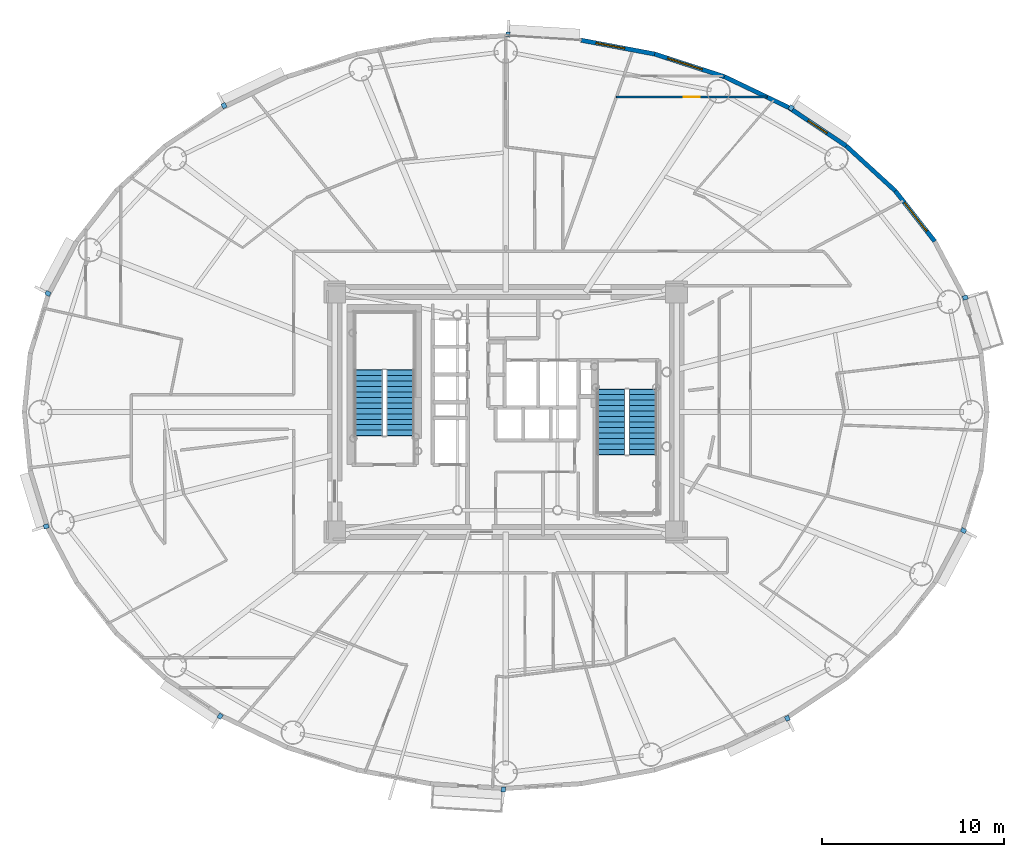
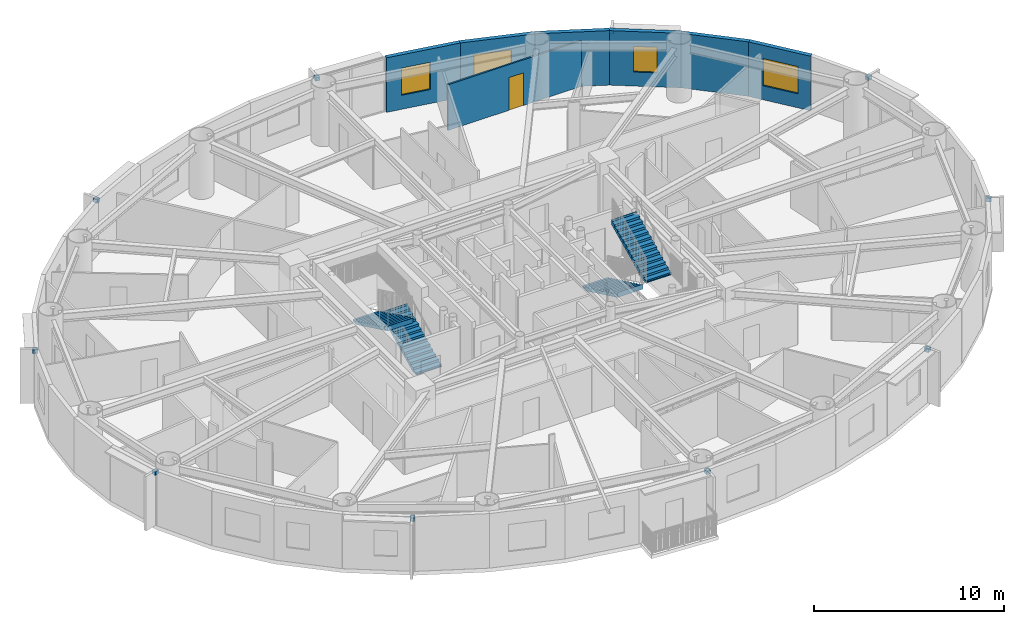
# One storey, part 11 of 18: 10 discrete accessories, 7 walls, 4 stair flights, 4 windows, 1 door, 5 openings, 2 elements without a shape of their own.
"""IFC4 building model written with IfcOpenShell, lengths in metres."""

from ifc_helpers import new_model, si_unit, direction, frame, frame_2d, origin, origin_2d, place, context, subcontext, project, spatial, polyline, rectangle, outline, extrude, source, transform, mapped, material, layer, layer_set, type_object, element, fill, aggregate, save


model = new_model("IFC4")

# Units and contexts
model_context = context("Model", 3, precision=1e-05, world=origin(), true_north=direction((0.0, 1.0)))
body_context = subcontext(model_context, "Body", "Model", "MODEL_VIEW")
ifc_project = project(units=[si_unit("LENGTHUNIT", "METRE"), si_unit("AREAUNIT", "SQUARE_METRE"), si_unit("VOLUMEUNIT", "CUBIC_METRE"), si_unit("PLANEANGLEUNIT", "RADIAN"), si_unit("MASSUNIT", "GRAM", prefix="KILO")], contexts=[model_context])

# Site, building, storey
site_placement = place(None, origin())
site = spatial("IfcSite", under=ifc_project, at=site_placement, CompositionType="ELEMENT")
building_placement = place(site_placement, origin())
building = spatial("IfcBuilding", under=site, at=building_placement, Name="Linh Dai School and Residence Tower", CompositionType="ELEMENT")
storey_placement = place(building_placement, frame((0.0, 0.0, 178.64990234375)))
storey = spatial("IfcBuildingStorey", under=building, at=storey_placement, Name="L43", CompositionType="ELEMENT", Elevation=178.64990234375)

# Wall, opening, window
ifc_material_1 = material(Name="Precast Concrete B45 (C35/45)", Category="concrete")
ifc_layer_1 = layer(ifc_material_1, 0.239990234375)
ifc_layer_set_1 = layer_set([ifc_layer_1], Name="Precast Concrete B45 (C35/45)")
wall_type_1 = type_object("IfcWallType", Name="EW-TC-240", PredefinedType="SOLIDWALL", material=ifc_layer_set_1)
wall_1_placement = place(storey_placement, frame((57.42822265625, 39.158447265625, 0.0), z_axis=(0.0, 0.0, 1.0), x_axis=(0.616287674549, -0.787521112224, 0.0)))
wall_1 = element("IfcWall", 1, at=wall_1_placement, inside=storey, type_object=wall_type_1, Name="L43 Terracotta Exterior Wall 04", PredefinedType="SOLIDWALL", context=body_context, shape_type="SweptSolid", body=[
    extrude(rectangle(XDim=3.517333984375, YDim=0.239990234375, at=frame_2d((1.7587890625, 0.0))), origin(), (0.0, 0.0, 1.0), 3.5),
])
opening_1_placement = place(wall_1_placement, frame((0.818603515625, 0.0, 0.89990234375)))
opening_1 = element("IfcOpeningElement", 2, at=opening_1_placement, cuts=wall_1, Name="Opening W1", PredefinedType="OPENING", context=body_context, shape_type="SweptSolid", body=[
    extrude(rectangle(XDim=2.0, YDim=1.75, at=origin_2d()), frame((1.0, 0.1298828125, 0.875), z_axis=(0.0, -1.0, 0.0), x_axis=(1.0, 0.0, 0.0)), (0.0, 0.0, 1.0), 0.260009765625),
])
ifc_material_2 = material(Name="Double Low-E Insulated Glazing", Category="glass")
window_type_1 = type_object("IfcWindowType", Name="WN-RES-2000x1750", PartitioningType="DOUBLE_PANEL_VERTICAL", PredefinedType="WINDOW", material=ifc_material_2)
shared_shape_1 = source(origin(), body_context, "Body", "SweptSolid", [
    extrude(rectangle(XDim=2.0, YDim=1.75, at=origin_2d()), frame((1.0, 0.030029296875, 0.875), z_axis=(0.0, -1.0, 0.0), x_axis=(1.0, 0.0, 0.0)), (0.0, 0.0, 1.0), 0.06005859375),
])
window_1_placement = place(opening_1_placement, origin())
window_1 = element("IfcWindow", 3, at=window_1_placement, inside=storey, type_object=window_type_1, Name="L43 Exterior Window 04.1", OverallHeight=1.75, OverallWidth=2.0, PartitioningType="DOUBLE_PANEL_VERTICAL", PredefinedType="WINDOW", context=body_context, shape_type="MappedRepresentation", body=[
    mapped(shared_shape_1, transform((0.0, 0.0, 0.0), x_axis=(1.0, 0.0, 0.0), y_axis=(0.0, 1.0, 0.0), z_axis=(0.0, 0.0, 1.0), scale=1.0)),
])
fill(opening_1, window_1)

# Wall
wall_2_placement = place(storey_placement, frame((54.73193359375, 41.630615234375, 0.0), z_axis=(0.0, 0.0, 1.0), x_axis=(0.737076565834, -0.675809245349, 0.0)))
element("IfcWall", 4, at=wall_2_placement, inside=storey, type_object=wall_type_1, Name="L43 Terracotta Exterior Wall 05", PredefinedType="SOLIDWALL", context=body_context, shape_type="SweptSolid", body=[
    extrude(rectangle(XDim=3.658203125, YDim=0.239990234375, at=frame_2d((1.8291015625, 0.0))), origin(), (0.0, 0.0, 1.0), 3.5),
])

# Wall, opening, window
wall_3_placement = place(storey_placement, frame((51.5732421875, 43.7431640625, 0.0), z_axis=(0.0, 0.0, 1.0), x_axis=(0.831228998277, -0.555930168657, 0.0)))
wall_3 = element("IfcWall", 5, at=wall_3_placement, inside=storey, type_object=wall_type_1, Name="L43 Terracotta Exterior Wall 06", PredefinedType="SOLIDWALL", context=body_context, shape_type="SweptSolid", body=[
    extrude(rectangle(XDim=3.800048828125, YDim=0.239990234375, at=frame_2d((1.89990234375, 0.0))), origin(), (0.0, 0.0, 1.0), 3.5),
])
opening_2_placement = place(wall_3_placement, frame((1.27490234375, 0.0, 0.89990234375)))
opening_2 = element("IfcOpeningElement", 6, at=opening_2_placement, cuts=wall_3, Name="Opening W3", PredefinedType="OPENING", context=body_context, shape_type="SweptSolid", body=[
    extrude(rectangle(XDim=1.25, YDim=1.64990234375, at=origin_2d()), frame((0.625, 0.1298828125, 0.824951171875), z_axis=(0.0, -1.0, 0.0), x_axis=(1.0, 0.0, 0.0)), (0.0, 0.0, 1.0), 0.260009765625),
])
window_type_2 = type_object("IfcWindowType", Name="WN-RES-1250x1650", PartitioningType="SINGLE_PANEL", PredefinedType="WINDOW", material=ifc_material_2)
shared_shape_2 = source(origin(), body_context, "Body", "SweptSolid", [
    extrude(rectangle(XDim=1.25, YDim=1.64990234375, at=origin_2d()), frame((0.625, 0.030029296875, 0.824951171875), z_axis=(0.0, -1.0, 0.0), x_axis=(1.0, 0.0, 0.0)), (0.0, 0.0, 1.0), 0.06005859375),
])
window_2_placement = place(opening_2_placement, origin())
window_2 = element("IfcWindow", 7, at=window_2_placement, inside=storey, type_object=window_type_2, Name="L43 Dwelling Window U4301-BD1", OverallHeight=1.64990234375, OverallWidth=1.25, PartitioningType="SINGLE_PANEL", PredefinedType="WINDOW", context=body_context, shape_type="MappedRepresentation", body=[
    mapped(shared_shape_2, transform((0.0, 0.0, 0.0), x_axis=(1.0, 0.0, 0.0), y_axis=(0.0, 1.0, 0.0), z_axis=(0.0, 0.0, 1.0), scale=1.0)),
])
fill(opening_2, window_2)

# Wall
wall_4_placement = place(storey_placement, frame((48.02978515625, 45.443603515625, 0.0), z_axis=(0.0, 0.0, 1.0), x_axis=(0.901564733809, -0.432644231155, 0.0)))
element("IfcWall", 8, at=wall_4_placement, inside=storey, type_object=wall_type_1, Name="L43 Terracotta Exterior Wall 07", PredefinedType="SOLIDWALL", context=body_context, shape_type="SweptSolid", body=[
    extrude(rectangle(XDim=3.930419921875, YDim=0.239990234375, at=frame_2d((1.96533203125, 0.0))), origin(), (0.0, 0.0, 1.0), 3.5),
])

# Wall, opening, window
wall_5_placement = place(storey_placement, frame((44.18896484375, 46.689453125, 0.0), z_axis=(0.0, 0.0, 1.0), x_axis=(0.951209870236, -0.30854462038, 0.0)))
wall_5 = element("IfcWall", 9, at=wall_5_placement, inside=storey, type_object=wall_type_1, Name="L43 Terracotta Exterior Wall 08", PredefinedType="SOLIDWALL", context=body_context, shape_type="SweptSolid", body=[
    extrude(rectangle(XDim=4.037841796875, YDim=0.239990234375, at=frame_2d((2.01904296875, 0.0))), origin(), (0.0, 0.0, 1.0), 3.5),
])
opening_3_placement = place(wall_5_placement, frame((0.7529296875, 0.0, 0.89990234375)))
opening_3 = element("IfcOpeningElement", 10, at=opening_3_placement, cuts=wall_5, Name="Opening W1", PredefinedType="OPENING", context=body_context, shape_type="SweptSolid", body=[
    extrude(rectangle(XDim=2.0, YDim=1.75, at=origin_2d()), frame((1.0, 0.1298828125, 0.875), z_axis=(0.0, -1.0, 0.0), x_axis=(1.0, 0.0, 0.0)), (0.0, 0.0, 1.0), 0.260009765625),
])
window_3_placement = place(opening_3_placement, origin())
window_3 = element("IfcWindow", 11, at=window_3_placement, inside=storey, type_object=window_type_1, Name="L43 Exterior Window 08.1", OverallHeight=1.75, OverallWidth=2.0, PartitioningType="DOUBLE_PANEL_VERTICAL", PredefinedType="WINDOW", context=body_context, shape_type="MappedRepresentation", body=[
    mapped(shared_shape_1, transform((0.0, 0.0, 0.0), x_axis=(1.0, 0.0, 0.0), y_axis=(0.0, 1.0, 0.0), z_axis=(0.0, 0.0, 1.0), scale=1.0)),
])
fill(opening_3, window_3)

wall_6_placement = place(storey_placement, frame((40.145751953125, 47.449462890625, 0.0), z_axis=(0.0, 0.0, 1.0), x_axis=(0.982788108205, -0.184736391573, 0.0)))
wall_6 = element("IfcWall", 12, at=wall_6_placement, inside=storey, type_object=wall_type_1, Name="L43 Terracotta Exterior Wall 09", PredefinedType="SOLIDWALL", context=body_context, shape_type="SweptSolid", body=[
    extrude(rectangle(XDim=4.114013671875, YDim=0.239990234375, at=frame_2d((2.05712890625, 0.0))), origin(), (0.0, 0.0, 1.0), 3.5),
])
opening_4_placement = place(wall_6_placement, frame((0.83642578125, 0.0, 0.89990234375)))
opening_4 = element("IfcOpeningElement", 13, at=opening_4_placement, cuts=wall_6, Name="Opening W2", PredefinedType="OPENING", context=body_context, shape_type="SweptSolid", body=[
    extrude(rectangle(XDim=1.60009765625, YDim=1.75, at=origin_2d()), frame((0.800048828125, 0.1298828125, 0.875), z_axis=(0.0, -1.0, 0.0), x_axis=(1.0, 0.0, 0.0)), (0.0, 0.0, 1.0), 0.260009765625),
])
window_type_3 = type_object("IfcWindowType", Name="WN-RES-1600x1750", PartitioningType="DOUBLE_PANEL_VERTICAL", PredefinedType="WINDOW", material=ifc_material_2)
shared_shape_3 = source(origin(), body_context, "Body", "SweptSolid", [
    extrude(rectangle(XDim=1.60009765625, YDim=1.75, at=origin_2d()), frame((0.800048828125, 0.030029296875, 0.875), z_axis=(0.0, -1.0, 0.0), x_axis=(1.0, 0.0, 0.0)), (0.0, 0.0, 1.0), 0.06005859375),
])
window_4_placement = place(opening_4_placement, origin())
window_4 = element("IfcWindow", 14, at=window_4_placement, inside=storey, type_object=window_type_3, Name="L43 Exterior Window 09.1", OverallHeight=1.75, OverallWidth=1.60009765625, PartitioningType="DOUBLE_PANEL_VERTICAL", PredefinedType="WINDOW", context=body_context, shape_type="MappedRepresentation", body=[
    mapped(shared_shape_3, transform((0.0, 0.0, 0.0), x_axis=(1.0, 0.0, 0.0), y_axis=(0.0, 1.0, 0.0), z_axis=(0.0, 0.0, 1.0), scale=1.0)),
])
fill(opening_4, window_4)

# Wall, opening, door
ifc_material_3 = material(Name="Gypsum Plasterboard Acoustic Stud Partition", Category="masonry")
ifc_layer_2 = layer(ifc_material_3, 0.10009765625)
ifc_layer_set_2 = layer_set([ifc_layer_2], Name="Gypsum Plasterboard Acoustic Stud Partition")
wall_type_2 = type_object("IfcWallType", Name="IW-UNIT-100", PredefinedType="PARTITIONING", material=ifc_layer_set_2)
wall_7_placement = place(storey_placement, frame((42.09033203125, 44.324951171875, 0.0), z_axis=(0.0, 0.0, 1.0), x_axis=(1.0, 0.0, 0.0)))
wall_7 = element("IfcWall", 15, at=wall_7_placement, inside=storey, type_object=wall_type_2, Name="L43 Interior Partition Wall 078", PredefinedType="PARTITIONING", context=body_context, shape_type="SweptSolid", body=[
    extrude(rectangle(XDim=8.2822265625, YDim=0.10009765625, at=frame_2d((4.14111328125, 0.0))), origin(), (0.0, 0.0, 1.0), 2.93505859375),
])
opening_5_placement = place(wall_7_placement, frame((3.691162109375, 0.0, 0.0)))
opening_5 = element("IfcOpeningElement", 16, at=opening_5_placement, cuts=wall_7, Name="Opening D05", PredefinedType="OPENING", context=body_context, shape_type="SweptSolid", body=[
    extrude(rectangle(XDim=0.89990234375, YDim=2.10009765625, at=origin_2d()), frame((0.449951171875, 0.06005859375, 1.050048828125), z_axis=(0.0, -1.0, 0.0), x_axis=(1.0, 0.0, 0.0)), (0.0, 0.0, 1.0), 0.1201171875),
])
ifc_material_4 = material(Name="Engineered Timber Internal Door", Category="wood")
door_type = type_object("IfcDoorType", Name="DR-INT-900x2100", OperationType="NOTDEFINED", PredefinedType="DOOR", material=ifc_material_4)
shared_shape_4 = source(origin(), body_context, "Body", "SweptSolid", [
    extrude(rectangle(XDim=0.89990234375, YDim=2.10009765625, at=origin_2d()), frame((0.449951171875, 0.02490234375, 1.050048828125), z_axis=(0.0, -1.0, 0.0), x_axis=(1.0, 0.0, 0.0)), (0.0, 0.0, 1.0), 0.050048828125),
])
door_placement = place(opening_5_placement, origin())
door = element("IfcDoor", 17, at=door_placement, inside=storey, type_object=door_type, Name="L43 Apartment U4301 Kitchen Door", OperationType="SINGLE_SWING_RIGHT", OverallHeight=2.10009765625, OverallWidth=0.89990234375, PredefinedType="DOOR", context=body_context, shape_type="MappedRepresentation", body=[
    mapped(shared_shape_4, transform((0.0, 0.0, 0.0), x_axis=(1.0, 0.0, 0.0), y_axis=(0.0, 1.0, 0.0), z_axis=(0.0, 0.0, 1.0), scale=1.0)),
])
fill(opening_5, door)

# Stair, stair flights
ifc_material_5 = material(Name="Concrete B45 (C35/45)", Category="concrete")
stair_type = type_object("IfcStairType", Name="ST-DOG-1550-R1442", PredefinedType="HALF_TURN_STAIR", material=ifc_material_5)
stair_1_placement = place(storey_placement, origin())
stair_1 = element("IfcStair", 18, at=stair_1_placement, inside=storey, type_object=stair_type, Name="L43 Core Smokeproof Exit Stair ST1", PredefinedType="HALF_TURN_STAIR")
stair_flight_type = type_object("IfcStairFlightType", Name="STF-STR-1550-R1442", PredefinedType="STRAIGHT", material=ifc_material_5)
shared_shape_5 = source(origin(), body_context, "Body", "SweptSolid", [
    extrude(outline(polyline([(-0.02490234375, 0.0), (-0.02490234375, 0.06005859375), (0.0, 0.06005859375), (0.0, 0.144287109375), (0.300048828125, 0.144287109375), (0.300048828125, 0.28857421875), (0.60009765625, 0.28857421875), (0.60009765625, 0.4326171875), (0.89990234375, 0.4326171875), (0.89990234375, 0.576904296875), (1.199951171875, 0.576904296875), (1.199951171875, 0.72119140625), (1.5, 0.72119140625), (1.5, 0.865478515625), (1.800048828125, 0.865478515625), (1.800048828125, 1.009521484375), (2.10009765625, 1.009521484375), (2.10009765625, 1.15380859375), (2.39990234375, 1.15380859375), (2.39990234375, 1.298095703125), (2.699951171875, 1.298095703125), (2.699951171875, 1.4423828125), (3.0, 1.4423828125), (3.0, 1.58642578125), (3.300048828125, 1.58642578125), (3.300048828125, 1.730712890625), (3.60009765625, 1.730712890625), (3.60009765625, 1.875), (3.625, 1.875), (3.625, 1.564453125), (3.60009765625, 1.564453125), (0.345947265625, 0.0), (-0.02490234375, 0.0)])), frame((0.0, 0.77490234375, 0.0), z_axis=(0.0, -1.0, 0.0), x_axis=(1.0, 0.0, 0.0)), (0.0, 0.0, 1.0), 1.550048828125),
])
stair_flight_1_placement = place(storey_placement, frame((30.205078125, 25.699951171875, 0.0), z_axis=(0.0, 0.0, 1.0), x_axis=(0.0, 1.0, 0.0)))
stair_flight_1 = element("IfcStairFlight", 19, at=stair_flight_1_placement, type_object=stair_flight_type, Name="ST1 flight 1", NumberOfRisers=13, NumberOfTreads=12, PredefinedType="STRAIGHT", RiserHeight=0.144230769, TreadLength=0.3, context=body_context, shape_type="MappedRepresentation", body=[
    mapped(shared_shape_5, transform((0.0, 0.0, 0.0), x_axis=(1.0, 0.0, 0.0), y_axis=(0.0, 1.0, 0.0), z_axis=(0.0, 0.0, 1.0), scale=1.0)),
])
stair_flight_2_placement = place(storey_placement, frame((28.455078125, 29.300048828125, 1.875), z_axis=(0.0, 0.0, 1.0), x_axis=(0.0, -1.0, 0.0)))
stair_flight_2 = element("IfcStairFlight", 20, at=stair_flight_2_placement, type_object=stair_flight_type, Name="ST1 flight 2", NumberOfRisers=13, NumberOfTreads=12, PredefinedType="STRAIGHT", RiserHeight=0.144230769, TreadLength=0.3, context=body_context, shape_type="MappedRepresentation", body=[
    mapped(shared_shape_5, transform((0.0, 0.0, 0.0), x_axis=(1.0, 0.0, 0.0), y_axis=(0.0, 1.0, 0.0), z_axis=(0.0, 0.0, 1.0), scale=1.0)),
])
aggregate(stair_1, [stair_flight_1, stair_flight_2])

stair_2_placement = place(storey_placement, origin())
stair_2 = element("IfcStair", 21, at=stair_2_placement, inside=storey, type_object=stair_type, Name="L43 Core Smokeproof Exit Stair ST2", PredefinedType="HALF_TURN_STAIR")
stair_flight_3_placement = place(storey_placement, frame((41.794921875, 28.25, 0.0), z_axis=(0.0, 0.0, 1.0), x_axis=(0.0, -1.0, 0.0)))
stair_flight_3 = element("IfcStairFlight", 22, at=stair_flight_3_placement, type_object=stair_flight_type, Name="ST2 flight 1", NumberOfRisers=13, NumberOfTreads=12, PredefinedType="STRAIGHT", RiserHeight=0.144230769, TreadLength=0.3, context=body_context, shape_type="MappedRepresentation", body=[
    mapped(shared_shape_5, transform((0.0, 0.0, 0.0), x_axis=(1.0, 0.0, 0.0), y_axis=(0.0, 1.0, 0.0), z_axis=(0.0, 0.0, 1.0), scale=1.0)),
])
stair_flight_4_placement = place(storey_placement, frame((43.544921875, 24.64990234375, 1.875), z_axis=(0.0, 0.0, 1.0), x_axis=(0.0, 1.0, 0.0)))
stair_flight_4 = element("IfcStairFlight", 23, at=stair_flight_4_placement, type_object=stair_flight_type, Name="ST2 flight 2", NumberOfRisers=13, NumberOfTreads=12, PredefinedType="STRAIGHT", RiserHeight=0.144230769, TreadLength=0.3, context=body_context, shape_type="MappedRepresentation", body=[
    mapped(shared_shape_5, transform((0.0, 0.0, 0.0), x_axis=(1.0, 0.0, 0.0), y_axis=(0.0, 1.0, 0.0), z_axis=(0.0, 0.0, 1.0), scale=1.0)),
])
aggregate(stair_2, [stair_flight_3, stair_flight_4])

# Discrete accessories
ifc_material_6 = material(Name="Structural Steel S355JR", Category="steel")
discrete_accessory_type = type_object("IfcDiscreteAccessoryType", Name="ACC-BRK-S355", PredefinedType="BRACKET", material=ifc_material_6)
shared_shape_6 = source(origin(), body_context, "Body", "SweptSolid", [
    extrude(rectangle(XDim=0.280029296875, YDim=0.239990234375, at=origin_2d()), origin(), (0.0, 0.0, 1.0), 0.219970703125),
])
for number, where, z_axis, x_axis, name in (
    (24, (61.275146484375, 33.291748046875, 3.25), (0.0, 0.0, 1.0), (0.956075055167, 0.293121969301, 0.0), "L43 Facade Frame Anchor Bracket 02"),
    (25, (51.706298828125, 43.726318359375, 3.25), (0.0, 0.0, 1.0), (0.555931154932, 0.831228338651, 0.0), "L43 Facade Frame Anchor Bracket 06"),
    (26, (36.12353515625, 47.757568359375, 3.25), (0.0, 0.0, 1.0), (0.061512376467, 0.99810632076, 0.0), "L43 Facade Frame Anchor Bracket 10"),
    (27, (20.509033203125, 43.84912109375, 3.25), (0.0, 0.0, 1.0), (-0.432634701653, 0.901569306779, 0.0), "L43 Facade Frame Anchor Bracket 14"),
    (28, (10.8203125, 33.52294921875, 3.25), (0.0, 0.0, 1.0), (-0.883950726378, 0.467580060884, 0.0), "L43 Facade Frame Anchor Bracket 18"),
    (29, (10.724853515625, 20.708251953125, 3.25), (0.0, 0.0, 1.0), (-0.956075055167, -0.293121969301, 0.0), "L43 Facade Frame Anchor Bracket 22"),
    (30, (20.293701171875, 10.273681640625, 3.25), (0.0, 0.0, 1.0), (-0.555931154932, -0.831228338651, 0.0), "L43 Facade Frame Anchor Bracket 26"),
    (31, (35.87646484375, 6.242431640625, 3.25), (0.0, 0.0, 1.0), (-0.061512376467, -0.99810632076, 0.0), "L43 Facade Frame Anchor Bracket 30"),
    (32, (51.490966796875, 10.15087890625, 3.25), (0.0, 0.0, 1.0), (0.432634701653, -0.901569306779, 0.0), "L43 Facade Frame Anchor Bracket 34"),
    (33, (61.1796875, 20.47705078125, 3.25), (0.0, 0.0, 1.0), (0.883950726378, -0.467580060884, 0.0), "L43 Facade Frame Anchor Bracket 38"),
):
    element("IfcDiscreteAccessory", number, at=place(storey_placement, frame(where, z_axis=z_axis, x_axis=x_axis)), inside=storey, type_object=discrete_accessory_type, Name=name, PredefinedType="BRACKET", context=body_context, shape_type="MappedRepresentation", body=[
        mapped(shared_shape_6, transform((0.0, 0.0, 0.0), x_axis=(1.0, 0.0, 0.0), y_axis=(0.0, 1.0, 0.0), z_axis=(0.0, 0.0, 1.0), scale=1.0)),
    ])

save(model, "model.ifc")
